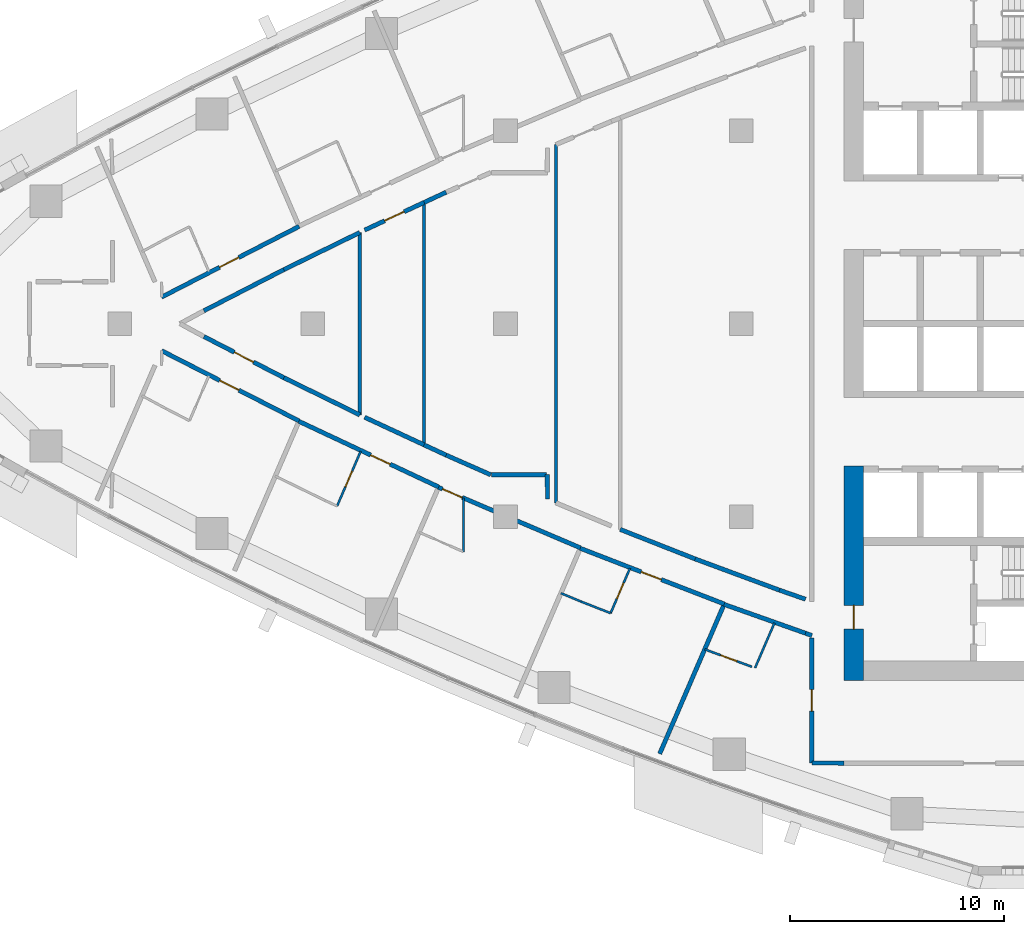
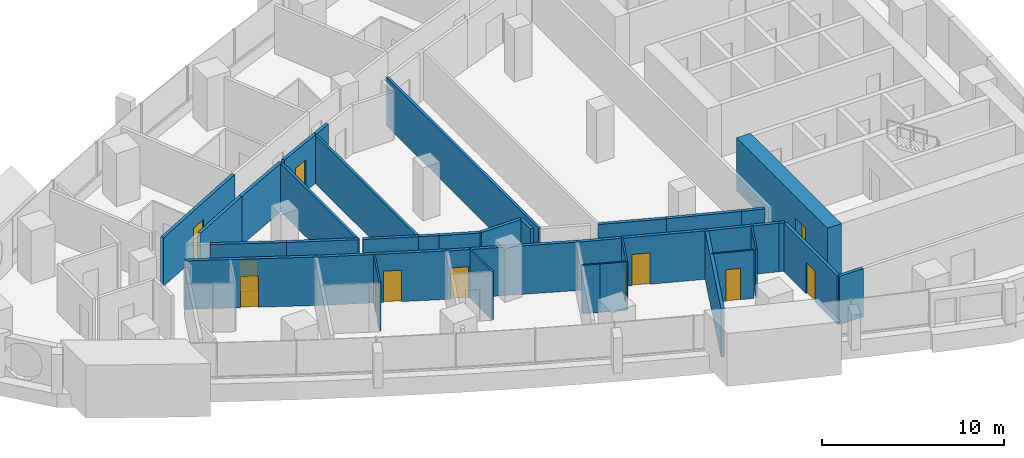
# One storey, part 9 of 17: 35 walls, 12 doors, 12 openings.
"""IFC4 building model written with IfcOpenShell, lengths in metres."""

from ifc_helpers import new_model, si_unit, direction, frame, frame_2d, origin, place, context, subcontext, project, spatial, rectangle, extrude, material, layer, layer_set, type_object, element, fill, save


model = new_model("IFC4")

# Units and contexts
model_context = context("Model", 3, precision=1e-05, world=origin(), true_north=direction((0.0, 1.0)))
body_context = subcontext(model_context, "Body", "Model", "MODEL_VIEW")
ifc_project = project(units=[si_unit("LENGTHUNIT", "METRE"), si_unit("AREAUNIT", "SQUARE_METRE"), si_unit("VOLUMEUNIT", "CUBIC_METRE"), si_unit("PLANEANGLEUNIT", "RADIAN"), si_unit("MASSUNIT", "GRAM", prefix="KILO")], contexts=[model_context])

# Site, building, storey
site_placement = place(None, origin())
site = spatial("IfcSite", under=ifc_project, at=site_placement, CompositionType="ELEMENT")
building_placement = place(site_placement, origin())
building = spatial("IfcBuilding", under=site, at=building_placement, Name="Ostrand Prow Hotel Tower", CompositionType="ELEMENT")
storey_placement = place(building_placement, frame((0.0, 0.0, 140.85009765625)))
storey = spatial("IfcBuildingStorey", under=building, at=storey_placement, Name="L34", CompositionType="ELEMENT", Elevation=140.85009765625)

# Wall, opening, door
ifc_material_1 = material(Name="Concrete C70/85", Category="concrete")
ifc_layer_1 = layer(ifc_material_1, 0.89990234375)
ifc_layer_set_1 = layer_set([ifc_layer_1], Name="Concrete C70/85")
wall_type_1 = type_object("IfcWallType", Name="Core wall 900 C70/85", PredefinedType="SHEAR", material=ifc_layer_set_1)
wall_1_placement = place(storey_placement, frame((50.25, -16.64990234375, 0.0), z_axis=(0.0, 0.0, 1.0), x_axis=(0.0, 1.0, 0.0)))
wall_1 = element("IfcWall", 1, at=wall_1_placement, inside=storey, type_object=wall_type_1, Name="Core wall CW-W-S", PredefinedType="SHEAR", context=body_context, shape_type="SweptSolid", body=[
    extrude(rectangle(XDim=10.0, YDim=0.89990234375, at=frame_2d((5.0, 0.0))), origin(), (0.0, 0.0, 1.0), 3.5498046875),
])
opening_1_placement = place(wall_1_placement, frame((2.39990234375, 0.0, 0.0)))
opening_1 = element("IfcOpeningElement", 2, at=opening_1_placement, cuts=wall_1, Name="Opening FD1", PredefinedType="OPENING", context=body_context, shape_type="SweptSolid", body=[
    extrude(rectangle(XDim=1.10009765625, YDim=2.10009765625, at=frame_2d((0.550048828125, 1.050048828125))), frame((0.0, 0.4599609375, 0.0), z_axis=(0.0, -1.0, 0.0), x_axis=(1.0, 0.0, 0.0)), (0.0, 0.0, 1.0), 0.919921875),
])
ifc_material_2 = material(Name="Steel fire door", Category="steel")
door_type_1 = type_object("IfcDoorType", Name="Fire door 1100 EI120", OperationType="SINGLE_SWING_RIGHT", PredefinedType="DOOR", material=ifc_material_2)
door_1_placement = place(opening_1_placement, origin())
door_1 = element("IfcDoor", 3, at=door_1_placement, inside=storey, type_object=door_type_1, Name="FIRE DOOR", OperationType="SINGLE_SWING_RIGHT", OverallHeight=2.10009765625, OverallWidth=1.10009765625, PredefinedType="DOOR", context=body_context, shape_type="SweptSolid", body=[
    extrude(rectangle(XDim=1.10009765625, YDim=2.10009765625, at=frame_2d((0.550048828125, 1.050048828125))), frame((0.0, 0.02490234375, 0.0), z_axis=(0.0, -1.0, 0.0), x_axis=(1.0, 0.0, 0.0)), (0.0, 0.0, 1.0), 0.050048828125),
])
fill(opening_1, door_1)

ifc_material_3 = material(Name="Plasterboard partition")
ifc_layer_2 = layer(ifc_material_3, 0.10009765625)
ifc_layer_set_2 = layer_set([ifc_layer_2], Name="Plasterboard partition")
wall_type_2 = type_object("IfcWallType", Name="Partition 100 bathroom wall", PredefinedType="PARTITIONING", material=ifc_layer_set_2)
wall_2_placement = place(storey_placement, frame((27.239990234375, -5.959228515625, 0.0), z_axis=(0.0, 0.0, 1.0), x_axis=(-0.396018464604, -0.918242547311, 0.0)))
wall_2 = element("IfcWall", 4, at=wall_2_placement, inside=storey, type_object=wall_type_2, Name="BATHROOM WALL", PredefinedType="PARTITIONING", context=body_context, shape_type="SweptSolid", body=[
    extrude(rectangle(XDim=2.77783203125, YDim=0.10009765625, at=frame_2d((1.388916015625, 0.0))), origin(), (0.0, 0.0, 1.0), 3.25),
])
opening_2_placement = place(wall_2_placement, frame((1.0, 0.0, 0.0)))
opening_2 = element("IfcOpeningElement", 5, at=opening_2_placement, cuts=wall_2, Name="Opening D2", PredefinedType="OPENING", context=body_context, shape_type="SweptSolid", body=[
    extrude(rectangle(XDim=0.800048828125, YDim=2.10009765625, at=frame_2d((0.39990234375, 1.050048828125))), frame((0.0, 0.06005859375, 0.0), z_axis=(0.0, -1.0, 0.0), x_axis=(1.0, 0.0, 0.0)), (0.0, 0.0, 1.0), 0.1201171875),
])
ifc_material_4 = material(Name="Timber door leaf", Category="wood")
door_type_2 = type_object("IfcDoorType", Name="Bathroom door 800", OperationType="SINGLE_SWING_LEFT", PredefinedType="DOOR", material=ifc_material_4)
door_2_placement = place(opening_2_placement, origin())
door_2 = element("IfcDoor", 6, at=door_2_placement, inside=storey, type_object=door_type_2, Name="DOOR", OperationType="SINGLE_SWING_LEFT", OverallHeight=2.10009765625, OverallWidth=0.800048828125, PredefinedType="DOOR", context=body_context, shape_type="SweptSolid", body=[
    extrude(rectangle(XDim=0.800048828125, YDim=2.10009765625, at=frame_2d((0.39990234375, 1.050048828125))), frame((0.0, 0.02490234375, 0.0), z_axis=(0.0, -1.0, 0.0), x_axis=(1.0, 0.0, 0.0)), (0.0, 0.0, 1.0), 0.050048828125),
])
fill(opening_2, door_2)

wall_3_placement = place(storey_placement, frame((39.805908203125, -11.4169921875, 0.0), z_axis=(0.0, 0.0, 1.0), x_axis=(-0.396000751487, -0.918250186399, 0.0)))
wall_3 = element("IfcWall", 7, at=wall_3_placement, inside=storey, type_object=wall_type_2, Name="BATHROOM WALL", PredefinedType="PARTITIONING", context=body_context, shape_type="SweptSolid", body=[
    extrude(rectangle(XDim=2.278076171875, YDim=0.10009765625, at=frame_2d((1.13916015625, 0.0))), origin(), (0.0, 0.0, 1.0), 3.25),
])
opening_3_placement = place(wall_3_placement, frame((0.75, 0.0, 0.0)))
opening_3 = element("IfcOpeningElement", 8, at=opening_3_placement, cuts=wall_3, Name="Opening D2", PredefinedType="OPENING", context=body_context, shape_type="SweptSolid", body=[
    extrude(rectangle(XDim=0.800048828125, YDim=2.10009765625, at=frame_2d((0.39990234375, 1.050048828125))), frame((0.0, 0.06005859375, 0.0), z_axis=(0.0, -1.0, 0.0), x_axis=(1.0, 0.0, 0.0)), (0.0, 0.0, 1.0), 0.1201171875),
])
door_3_placement = place(opening_3_placement, origin())
door_3 = element("IfcDoor", 9, at=door_3_placement, inside=storey, type_object=door_type_2, Name="DOOR", OperationType="SINGLE_SWING_LEFT", OverallHeight=2.10009765625, OverallWidth=0.800048828125, PredefinedType="DOOR", context=body_context, shape_type="SweptSolid", body=[
    extrude(rectangle(XDim=0.800048828125, YDim=2.10009765625, at=frame_2d((0.39990234375, 1.050048828125))), frame((0.0, 0.02490234375, 0.0), z_axis=(0.0, -1.0, 0.0), x_axis=(1.0, 0.0, 0.0)), (0.0, 0.0, 1.0), 0.050048828125),
])
fill(opening_3, door_3)

# Walls
wall_4_placement = place(storey_placement, frame((38.90380859375, -13.5087890625, 0.0), z_axis=(0.0, 0.0, 1.0), x_axis=(-0.930584239012, 0.366077825199, 0.0)))
element("IfcWall", 10, at=wall_4_placement, inside=storey, type_object=wall_type_2, Name="BATHROOM WALL", PredefinedType="PARTITIONING", context=body_context, shape_type="SweptSolid", body=[
    extrude(rectangle(XDim=1.4912109375, YDim=0.10009765625, at=frame_2d((0.74560546875, 0.0))), origin(), (0.0, 0.0, 1.0), 3.25),
])
wall_5_placement = place(storey_placement, frame((37.51611328125, -12.962890625, 0.0), z_axis=(0.0, 0.0, 1.0), x_axis=(-0.923026834192, 0.384735575897, 0.0)))
element("IfcWall", 11, at=wall_5_placement, inside=storey, type_object=wall_type_2, Name="BATHROOM WALL", PredefinedType="PARTITIONING", context=body_context, shape_type="SweptSolid", body=[
    extrude(rectangle(XDim=1.009521484375, YDim=0.10009765625, at=frame_2d((0.5048828125, 0.0))), origin(), (0.0, 0.0, 1.0), 3.25),
])
wall_6_placement = place(storey_placement, frame((46.5478515625, -13.965087890625, 0.0), z_axis=(0.0, 0.0, 1.0), x_axis=(-0.395944391694, -0.918274489837, 0.0)))
element("IfcWall", 12, at=wall_6_placement, inside=storey, type_object=wall_type_2, Name="BATHROOM WALL", PredefinedType="PARTITIONING", context=body_context, shape_type="SweptSolid", body=[
    extrude(rectangle(XDim=2.283203125, YDim=0.10009765625, at=frame_2d((1.1416015625, 0.0))), origin(), (0.0, 0.0, 1.0), 3.25),
])

# Wall, opening, door
wall_7_placement = place(storey_placement, frame((45.497314453125, -16.0107421875, 0.0), z_axis=(0.0, 0.0, 1.0), x_axis=(-0.937739981943, 0.347338057613, 0.0)))
wall_7 = element("IfcWall", 13, at=wall_7_placement, inside=storey, type_object=wall_type_2, Name="BATHROOM WALL", PredefinedType="PARTITIONING", context=body_context, shape_type="SweptSolid", body=[
    extrude(rectangle(XDim=2.348388671875, YDim=0.10009765625, at=frame_2d((1.17431640625, 0.0))), origin(), (0.0, 0.0, 1.0), 3.25),
])
opening_4_placement = place(wall_7_placement, frame((0.75, 0.0, 0.0)))
opening_4 = element("IfcOpeningElement", 14, at=opening_4_placement, cuts=wall_7, Name="Opening D2", PredefinedType="OPENING", context=body_context, shape_type="SweptSolid", body=[
    extrude(rectangle(XDim=0.800048828125, YDim=2.10009765625, at=frame_2d((0.39990234375, 1.050048828125))), frame((0.0, 0.06005859375, 0.0), z_axis=(0.0, -1.0, 0.0), x_axis=(1.0, 0.0, 0.0)), (0.0, 0.0, 1.0), 0.1201171875),
])
door_4_placement = place(opening_4_placement, origin())
door_4 = element("IfcDoor", 15, at=door_4_placement, inside=storey, type_object=door_type_2, Name="DOOR", OperationType="SINGLE_SWING_LEFT", OverallHeight=2.10009765625, OverallWidth=0.800048828125, PredefinedType="DOOR", context=body_context, shape_type="SweptSolid", body=[
    extrude(rectangle(XDim=0.800048828125, YDim=2.10009765625, at=frame_2d((0.39990234375, 1.050048828125))), frame((0.0, 0.02490234375, 0.0), z_axis=(0.0, -1.0, 0.0), x_axis=(1.0, 0.0, 0.0)), (0.0, 0.0, 1.0), 0.050048828125),
])
fill(opening_4, door_4)

# Walls
wall_8_placement = place(storey_placement, frame((32.044921875, -8.13818359375, 0.0), z_axis=(0.0, 0.0, 1.0), x_axis=(0.0, -1.0, 0.0)))
element("IfcWall", 16, at=wall_8_placement, inside=storey, type_object=wall_type_2, Name="BATHROOM WALL", PredefinedType="PARTITIONING", context=body_context, shape_type="SweptSolid", body=[
    extrude(rectangle(XDim=2.52294921875, YDim=0.10009765625, at=frame_2d((1.261474609375, 0.0))), origin(), (0.0, 0.0, 1.0), 3.25),
])
ifc_material_5 = material(Name="Plasterboard partition")
ifc_layer_3 = layer(ifc_material_5, 0.14990234375)
ifc_layer_set_3 = layer_set([ifc_layer_3], Name="Plasterboard partition")
wall_type_3 = type_object("IfcWallType", Name="Partition 150 room partition", PredefinedType="PARTITIONING", material=ifc_layer_set_3)
wall_9_placement = place(storey_placement, frame((27.201904296875, -4.256591796875, 0.0), z_axis=(0.0, 0.0, 1.0), x_axis=(0.0, 1.0, 0.0)))
element("IfcWall", 17, at=wall_9_placement, inside=storey, type_object=wall_type_3, Name="ROOM PARTITION", PredefinedType="PARTITIONING", context=body_context, shape_type="SweptSolid", body=[
    extrude(rectangle(XDim=8.51318359375, YDim=0.14990234375, at=frame_2d((4.256591796875, 0.0))), origin(), (0.0, 0.0, 1.0), 3.25),
])
wall_10_placement = place(storey_placement, frame((30.201904296875, -5.656494140625, 0.0), z_axis=(0.0, 0.0, 1.0), x_axis=(0.0, 1.0, 0.0)))
element("IfcWall", 18, at=wall_10_placement, inside=storey, type_object=wall_type_3, Name="ROOM PARTITION", PredefinedType="PARTITIONING", context=body_context, shape_type="SweptSolid", body=[
    extrude(rectangle(XDim=11.31298828125, YDim=0.14990234375, at=frame_2d((5.656494140625, 0.0))), origin(), (0.0, 0.0, 1.0), 3.25),
])
wall_11_placement = place(storey_placement, frame((36.35302734375, -8.361083984375, 0.0), z_axis=(0.0, 0.0, 1.0), x_axis=(0.0, 1.0, 0.0)))
element("IfcWall", 19, at=wall_11_placement, inside=storey, type_object=wall_type_3, Name="ROOM PARTITION", PredefinedType="PARTITIONING", context=body_context, shape_type="SweptSolid", body=[
    extrude(rectangle(XDim=16.72216796875, YDim=0.14990234375, at=frame_2d((8.361083984375, 0.0))), origin(), (0.0, 0.0, 1.0), 3.25),
])

# Wall, opening, door
ifc_material_6 = material(Name="Plasterboard partition")
ifc_layer_4 = layer(ifc_material_6, 0.199951171875)
ifc_layer_set_4 = layer_set([ifc_layer_4], Name="Plasterboard partition")
wall_type_4 = type_object("IfcWallType", Name="Partition 200 corridor wall", PredefinedType="PARTITIONING", material=ifc_layer_set_4)
wall_12_placement = place(storey_placement, frame((17.949951171875, 1.238037109375, 0.0), z_axis=(0.0, 0.0, 1.0), x_axis=(0.889253598622, 0.457414513694, 0.0)))
wall_12 = element("IfcWall", 20, at=wall_12_placement, inside=storey, type_object=wall_type_4, Name="CORRIDOR WALL", PredefinedType="PARTITIONING", context=body_context, shape_type="SweptSolid", body=[
    extrude(rectangle(XDim=7.216796875, YDim=0.199951171875, at=frame_2d((3.6083984375, 0.0))), origin(), (0.0, 0.0, 1.0), 3.25),
])
opening_5_placement = place(wall_12_placement, frame((3.050048828125, 0.0, 0.0)))
opening_5 = element("IfcOpeningElement", 21, at=opening_5_placement, cuts=wall_12, Name="Opening D1", PredefinedType="OPENING", context=body_context, shape_type="SweptSolid", body=[
    extrude(rectangle(XDim=1.0, YDim=2.10009765625, at=frame_2d((0.5, 1.050048828125))), frame((0.0, 0.10986328125, 0.0), z_axis=(0.0, -1.0, 0.0), x_axis=(1.0, 0.0, 0.0)), (0.0, 0.0, 1.0), 0.219970703125),
])
ifc_material_7 = material(Name="Timber door leaf", Category="wood")
door_type_3 = type_object("IfcDoorType", Name="Guest room door 1000", OperationType="SINGLE_SWING_LEFT", PredefinedType="DOOR", material=ifc_material_7)
door_5_placement = place(opening_5_placement, origin())
door_5 = element("IfcDoor", 22, at=door_5_placement, inside=storey, type_object=door_type_3, Name="DOOR", OperationType="SINGLE_SWING_LEFT", OverallHeight=2.10009765625, OverallWidth=1.0, PredefinedType="DOOR", context=body_context, shape_type="SweptSolid", body=[
    extrude(rectangle(XDim=1.0, YDim=2.10009765625, at=frame_2d((0.5, 1.050048828125))), frame((0.0, 0.02490234375, 0.0), z_axis=(0.0, -1.0, 0.0), x_axis=(1.0, 0.0, 0.0)), (0.0, 0.0, 1.0), 0.050048828125),
])
fill(opening_5, door_5)

wall_13_placement = place(storey_placement, frame((17.949951171875, -1.2607421875, 0.0), z_axis=(0.0, 0.0, 1.0), x_axis=(0.890531681441, -0.45492122873, 0.0)))
wall_13 = element("IfcWall", 23, at=wall_13_placement, inside=storey, type_object=wall_type_4, Name="CORRIDOR WALL", PredefinedType="PARTITIONING", context=body_context, shape_type="SweptSolid", body=[
    extrude(rectangle(XDim=7.206298828125, YDim=0.199951171875, at=frame_2d((3.60302734375, 0.0))), origin(), (0.0, 0.0, 1.0), 3.25),
])
opening_6_placement = place(wall_13_placement, frame((3.050048828125, 0.0, 0.0)))
opening_6 = element("IfcOpeningElement", 24, at=opening_6_placement, cuts=wall_13, Name="Opening D1", PredefinedType="OPENING", context=body_context, shape_type="SweptSolid", body=[
    extrude(rectangle(XDim=1.0, YDim=2.10009765625, at=frame_2d((0.5, 1.050048828125))), frame((0.0, 0.10986328125, 0.0), z_axis=(0.0, -1.0, 0.0), x_axis=(1.0, 0.0, 0.0)), (0.0, 0.0, 1.0), 0.219970703125),
])
door_6_placement = place(opening_6_placement, origin())
door_6 = element("IfcDoor", 25, at=door_6_placement, inside=storey, type_object=door_type_3, Name="DOOR", OperationType="SINGLE_SWING_LEFT", OverallHeight=2.10009765625, OverallWidth=1.0, PredefinedType="DOOR", context=body_context, shape_type="SweptSolid", body=[
    extrude(rectangle(XDim=1.0, YDim=2.10009765625, at=frame_2d((0.5, 1.050048828125))), frame((0.0, 0.02490234375, 0.0), z_axis=(0.0, -1.0, 0.0), x_axis=(1.0, 0.0, 0.0)), (0.0, 0.0, 1.0), 0.050048828125),
])
fill(opening_6, door_6)

wall_14_placement = place(storey_placement, frame((24.359619140625, -4.557373046875, 0.0), z_axis=(0.0, 0.0, 1.0), x_axis=(0.905157912263, -0.425075468439, 0.0)))
wall_14 = element("IfcWall", 26, at=wall_14_placement, inside=storey, type_object=wall_type_4, Name="CORRIDOR WALL", PredefinedType="PARTITIONING", context=body_context, shape_type="SweptSolid", body=[
    extrude(rectangle(XDim=7.203369140625, YDim=0.199951171875, at=frame_2d((3.6015625, 0.0))), origin(), (0.0, 0.0, 1.0), 3.25),
])
opening_7_placement = place(wall_14_placement, frame((3.699951171875, 0.0, 0.0)))
opening_7 = element("IfcOpeningElement", 27, at=opening_7_placement, cuts=wall_14, Name="Opening D1", PredefinedType="OPENING", context=body_context, shape_type="SweptSolid", body=[
    extrude(rectangle(XDim=1.0, YDim=2.10009765625, at=frame_2d((0.5, 1.050048828125))), frame((0.0, 0.10986328125, 0.0), z_axis=(0.0, -1.0, 0.0), x_axis=(1.0, 0.0, 0.0)), (0.0, 0.0, 1.0), 0.219970703125),
])
door_7_placement = place(opening_7_placement, origin())
door_7 = element("IfcDoor", 28, at=door_7_placement, inside=storey, type_object=door_type_3, Name="DOOR", OperationType="SINGLE_SWING_LEFT", OverallHeight=2.10009765625, OverallWidth=1.0, PredefinedType="DOOR", context=body_context, shape_type="SweptSolid", body=[
    extrude(rectangle(XDim=1.0, YDim=2.10009765625, at=frame_2d((0.5, 1.050048828125))), frame((0.0, 0.02490234375, 0.0), z_axis=(0.0, -1.0, 0.0), x_axis=(1.0, 0.0, 0.0)), (0.0, 0.0, 1.0), 0.050048828125),
])
fill(opening_7, door_7)

wall_15_placement = place(storey_placement, frame((30.8720703125, -7.6376953125, 0.0), z_axis=(0.0, 0.0, 1.0), x_axis=(0.919834621271, -0.392306346509, 0.0)))
wall_15 = element("IfcWall", 29, at=wall_15_placement, inside=storey, type_object=wall_type_4, Name="CORRIDOR WALL", PredefinedType="PARTITIONING", context=body_context, shape_type="SweptSolid", body=[
    extrude(rectangle(XDim=7.2001953125, YDim=0.199951171875, at=frame_2d((3.60009765625, 0.0))), origin(), (0.0, 0.0, 1.0), 3.25),
])
opening_8_placement = place(wall_15_placement, frame((0.199951171875, 0.0, 0.0)))
opening_8 = element("IfcOpeningElement", 30, at=opening_8_placement, cuts=wall_15, Name="Opening D1", PredefinedType="OPENING", context=body_context, shape_type="SweptSolid", body=[
    extrude(rectangle(XDim=1.0, YDim=2.10009765625, at=frame_2d((0.5, 1.050048828125))), frame((0.0, 0.10986328125, 0.0), z_axis=(0.0, -1.0, 0.0), x_axis=(1.0, 0.0, 0.0)), (0.0, 0.0, 1.0), 0.219970703125),
])
door_8_placement = place(opening_8_placement, origin())
door_8 = element("IfcDoor", 31, at=door_8_placement, inside=storey, type_object=door_type_3, Name="DOOR", OperationType="SINGLE_SWING_LEFT", OverallHeight=2.10009765625, OverallWidth=1.0, PredefinedType="DOOR", context=body_context, shape_type="SweptSolid", body=[
    extrude(rectangle(XDim=1.0, YDim=2.10009765625, at=frame_2d((0.5, 1.050048828125))), frame((0.0, 0.02490234375, 0.0), z_axis=(0.0, -1.0, 0.0), x_axis=(1.0, 0.0, 0.0)), (0.0, 0.0, 1.0), 0.050048828125),
])
fill(opening_8, door_8)

wall_16_placement = place(storey_placement, frame((37.487060546875, -10.480712890625, 0.0), z_axis=(0.0, 0.0, 1.0), x_axis=(0.932657486666, -0.360763097567, 0.0)))
wall_16 = element("IfcWall", 32, at=wall_16_placement, inside=storey, type_object=wall_type_4, Name="CORRIDOR WALL", PredefinedType="PARTITIONING", context=body_context, shape_type="SweptSolid", body=[
    extrude(rectangle(XDim=7.205078125, YDim=0.199951171875, at=frame_2d((3.6025390625, 0.0))), origin(), (0.0, 0.0, 1.0), 3.25),
])
opening_9_placement = place(wall_16_placement, frame((3.050048828125, 0.0, 0.0)))
opening_9 = element("IfcOpeningElement", 33, at=opening_9_placement, cuts=wall_16, Name="Opening D1", PredefinedType="OPENING", context=body_context, shape_type="SweptSolid", body=[
    extrude(rectangle(XDim=1.0, YDim=2.10009765625, at=frame_2d((0.5, 1.050048828125))), frame((0.0, 0.10986328125, 0.0), z_axis=(0.0, -1.0, 0.0), x_axis=(1.0, 0.0, 0.0)), (0.0, 0.0, 1.0), 0.219970703125),
])
door_9_placement = place(opening_9_placement, origin())
door_9 = element("IfcDoor", 34, at=door_9_placement, inside=storey, type_object=door_type_3, Name="DOOR", OperationType="SINGLE_SWING_LEFT", OverallHeight=2.10009765625, OverallWidth=1.0, PredefinedType="DOOR", context=body_context, shape_type="SweptSolid", body=[
    extrude(rectangle(XDim=1.0, YDim=2.10009765625, at=frame_2d((0.5, 1.050048828125))), frame((0.0, 0.02490234375, 0.0), z_axis=(0.0, -1.0, 0.0), x_axis=(1.0, 0.0, 0.0)), (0.0, 0.0, 1.0), 0.050048828125),
])
fill(opening_9, door_9)

wall_17_placement = place(storey_placement, frame((23.65869140625, -2.52197265625, 0.0), z_axis=(0.0, 0.0, 1.0), x_axis=(-0.889140337289, 0.457634636589, 0.0)))
wall_17 = element("IfcWall", 35, at=wall_17_placement, inside=storey, type_object=wall_type_4, Name="CORRIDOR WALL", PredefinedType="PARTITIONING", context=body_context, shape_type="SweptSolid", body=[
    extrude(rectangle(XDim=4.1953125, YDim=0.199951171875, at=frame_2d((2.09765625, 0.0))), origin(), (0.0, 0.0, 1.0), 3.25),
])
opening_10_placement = place(wall_17_placement, frame((1.59765625, 0.0, 0.0)))
opening_10 = element("IfcOpeningElement", 36, at=opening_10_placement, cuts=wall_17, Name="Opening D1", PredefinedType="OPENING", context=body_context, shape_type="SweptSolid", body=[
    extrude(rectangle(XDim=1.0, YDim=2.10009765625, at=frame_2d((0.5, 1.050048828125))), frame((0.0, 0.10986328125, 0.0), z_axis=(0.0, -1.0, 0.0), x_axis=(1.0, 0.0, 0.0)), (0.0, 0.0, 1.0), 0.219970703125),
])
door_10_placement = place(opening_10_placement, origin())
door_10 = element("IfcDoor", 37, at=door_10_placement, inside=storey, type_object=door_type_3, Name="DOOR", OperationType="SINGLE_SWING_LEFT", OverallHeight=2.10009765625, OverallWidth=1.0, PredefinedType="DOOR", context=body_context, shape_type="SweptSolid", body=[
    extrude(rectangle(XDim=1.0, YDim=2.10009765625, at=frame_2d((0.5, 1.050048828125))), frame((0.0, 0.02490234375, 0.0), z_axis=(0.0, -1.0, 0.0), x_axis=(1.0, 0.0, 0.0)), (0.0, 0.0, 1.0), 0.050048828125),
])
fill(opening_10, door_10)

# Walls
wall_18_placement = place(storey_placement, frame((19.928466796875, 0.60205078125, 0.0), z_axis=(0.0, 0.0, 1.0), x_axis=(0.889140337289, 0.457634636589, 0.0)))
element("IfcWall", 38, at=wall_18_placement, inside=storey, type_object=wall_type_4, Name="CORRIDOR WALL", PredefinedType="PARTITIONING", context=body_context, shape_type="SweptSolid", body=[
    extrude(rectangle(XDim=4.1953125, YDim=0.199951171875, at=frame_2d((2.09765625, 0.0))), origin(), (0.0, 0.0, 1.0), 3.25),
])
for number, where, z_axis, x_axis, name in (
    (39, (23.65869140625, 2.52197265625, 0.0), (0.0, 0.0, 1.0), (0.898146009837, 0.439697333418, 0.0), "CORRIDOR WALL"),
    (40, (27.201904296875, -4.256591796875, 0.0), (0.0, 0.0, 1.0), (-0.898146009837, 0.439697333418, 0.0), "CORRIDOR WALL"),
):
    element("IfcWall", number, at=place(storey_placement, frame(where, z_axis=z_axis, x_axis=x_axis)), inside=storey, type_object=wall_type_4, Name=name, PredefinedType="PARTITIONING", context=body_context, shape_type="SweptSolid", body=[
        extrude(rectangle(XDim=3.945068359375, YDim=0.199951171875, at=frame_2d((1.97265625, 0.0))), origin(), (0.0, 0.0, 1.0), 3.25),
    ])

# Wall, opening, door
wall_19_placement = place(storey_placement, frame((27.4267578125, 4.36669921875, 0.0), z_axis=(0.0, 0.0, 1.0), x_axis=(0.906842391635, 0.42146990015, 0.0)))
wall_19 = element("IfcWall", 41, at=wall_19_placement, inside=storey, type_object=wall_type_4, Name="CORRIDOR WALL", PredefinedType="PARTITIONING", context=body_context, shape_type="SweptSolid", body=[
    extrude(rectangle(XDim=3.060302734375, YDim=0.199951171875, at=frame_2d((1.5302734375, 0.0))), origin(), (0.0, 0.0, 1.0), 3.25),
])
opening_11_placement = place(wall_19_placement, frame((1.030029296875, 0.0, 0.0)))
opening_11 = element("IfcOpeningElement", 42, at=opening_11_placement, cuts=wall_19, Name="Opening D1R", PredefinedType="OPENING", context=body_context, shape_type="SweptSolid", body=[
    extrude(rectangle(XDim=1.0, YDim=2.10009765625, at=frame_2d((0.5, 1.050048828125))), frame((0.0, 0.10986328125, 0.0), z_axis=(0.0, -1.0, 0.0), x_axis=(1.0, 0.0, 0.0)), (0.0, 0.0, 1.0), 0.219970703125),
])
ifc_material_8 = material(Name="Timber door leaf", Category="wood")
door_type_4 = type_object("IfcDoorType", Name="Guest room door 1000 right", OperationType="SINGLE_SWING_RIGHT", PredefinedType="DOOR", material=ifc_material_8)
door_11_placement = place(opening_11_placement, origin())
door_11 = element("IfcDoor", 43, at=door_11_placement, inside=storey, type_object=door_type_4, Name="DOOR", OperationType="SINGLE_SWING_RIGHT", OverallHeight=2.10009765625, OverallWidth=1.0, PredefinedType="DOOR", context=body_context, shape_type="SweptSolid", body=[
    extrude(rectangle(XDim=1.0, YDim=2.10009765625, at=frame_2d((0.5, 1.050048828125))), frame((0.0, 0.02490234375, 0.0), z_axis=(0.0, -1.0, 0.0), x_axis=(1.0, 0.0, 0.0)), (0.0, 0.0, 1.0), 0.050048828125),
])
fill(opening_11, door_11)

# Walls
wall_20_placement = place(storey_placement, frame((30.201904296875, -5.656494140625, 0.0), z_axis=(0.0, 0.0, 1.0), x_axis=(-0.906842391635, 0.42146990015, 0.0)))
element("IfcWall", 44, at=wall_20_placement, inside=storey, type_object=wall_type_4, Name="CORRIDOR WALL", PredefinedType="PARTITIONING", context=body_context, shape_type="SweptSolid", body=[
    extrude(rectangle(XDim=3.060302734375, YDim=0.199951171875, at=frame_2d((1.5302734375, 0.0))), origin(), (0.0, 0.0, 1.0), 3.25),
])
wall_21_placement = place(storey_placement, frame((33.307861328125, -7.050048828125, 0.0), z_axis=(0.0, 0.0, 1.0), x_axis=(-0.915102334452, 0.403221672881, 0.0)))
element("IfcWall", 45, at=wall_21_placement, inside=storey, type_object=wall_type_4, Name="CORRIDOR WALL", PredefinedType="PARTITIONING", context=body_context, shape_type="SweptSolid", body=[
    extrude(rectangle(XDim=2.269287109375, YDim=0.199951171875, at=frame_2d((1.134765625, 0.0))), origin(), (0.0, 0.0, 1.0), 3.25),
])
for number, where, z_axis, x_axis, name in (
    (46, (31.231201171875, -6.135009765625, 0.0), (0.0, 0.0, 1.0), (-0.906797605575, 0.421566249271, 0.0), "CORRIDOR WALL"),
    (47, (30.201904296875, 5.656494140625, 0.0), (0.0, 0.0, 1.0), (0.906797605575, 0.421566249271, 0.0), "CORRIDOR WALL"),
):
    element("IfcWall", number, at=place(storey_placement, frame(where, z_axis=z_axis, x_axis=x_axis)), inside=storey, type_object=wall_type_4, Name=name, PredefinedType="PARTITIONING", context=body_context, shape_type="SweptSolid", body=[
        extrude(rectangle(XDim=1.135009765625, YDim=0.199951171875, at=frame_2d((0.5673828125, 0.0))), origin(), (0.0, 0.0, 1.0), 3.25),
    ])
wall_22_placement = place(storey_placement, frame((46.78125, -12.43408203125, 0.0), z_axis=(0.0, 0.0, 1.0), x_axis=(-0.937732614305, 0.347357948044, 0.0)))
element("IfcWall", 48, at=wall_22_placement, inside=storey, type_object=wall_type_4, Name="CORRIDOR WALL", PredefinedType="PARTITIONING", context=body_context, shape_type="SweptSolid", body=[
    extrude(rectangle(XDim=4.1953125, YDim=0.199951171875, at=frame_2d((2.09765625, 0.0))), origin(), (0.0, 0.0, 1.0), 3.25),
])
wall_23_placement = place(storey_placement, frame((42.84716796875, -10.976806640625, 0.0), z_axis=(0.0, 0.0, 1.0), x_axis=(-0.930564862228, 0.366127077921, 0.0)))
element("IfcWall", 49, at=wall_23_placement, inside=storey, type_object=wall_type_4, Name="CORRIDOR WALL", PredefinedType="PARTITIONING", context=body_context, shape_type="SweptSolid", body=[
    extrude(rectangle(XDim=3.7548828125, YDim=0.199951171875, at=frame_2d((1.87744140625, 0.0))), origin(), (0.0, 0.0, 1.0), 3.25),
])
wall_24_placement = place(storey_placement, frame((44.19921875, -13.098388671875, 0.0), z_axis=(0.0, 0.0, 1.0), x_axis=(0.942658979264, -0.333757470048, 0.0)))
element("IfcWall", 50, at=wall_24_placement, inside=storey, type_object=wall_type_4, Name="CORRIDOR WALL", PredefinedType="PARTITIONING", context=body_context, shape_type="SweptSolid", body=[
    extrude(rectangle(XDim=4.031982421875, YDim=0.199951171875, at=frame_2d((2.01611328125, 0.0))), origin(), (0.0, 0.0, 1.0), 3.25),
])
wall_25_placement = place(storey_placement, frame((48.0, -12.85791015625, 0.0), z_axis=(0.0, 0.0, 1.0), x_axis=(-0.944517215109, 0.328461916152, 0.0)))
element("IfcWall", 51, at=wall_25_placement, inside=storey, type_object=wall_type_4, Name="CORRIDOR WALL", PredefinedType="PARTITIONING", context=body_context, shape_type="SweptSolid", body=[
    extrude(rectangle(XDim=1.290283203125, YDim=0.199951171875, at=frame_2d((0.64501953125, 0.0))), origin(), (0.0, 0.0, 1.0), 3.25),
])
wall_26_placement = place(storey_placement, frame((35.955078125, -8.18994140625, 0.0), z_axis=(0.0, 0.0, 1.0), x_axis=(-0.002773026881, 0.999996155154, 0.0)))
element("IfcWall", 52, at=wall_26_placement, inside=storey, type_object=wall_type_4, Name="CORRIDOR WALL", PredefinedType="PARTITIONING", context=body_context, shape_type="SweptSolid", body=[
    extrude(rectangle(XDim=1.14453125, YDim=0.199951171875, at=frame_2d((0.572265625, 0.0))), origin(), (0.0, 0.0, 1.0), 3.25),
])
wall_27_placement = place(storey_placement, frame((35.911865234375, -7.04541015625, 0.0), z_axis=(0.0, 0.0, 1.0), x_axis=(-0.999999981873, 0.000190403652, 0.0)))
element("IfcWall", 53, at=wall_27_placement, inside=storey, type_object=wall_type_4, Name="CORRIDOR WALL", PredefinedType="PARTITIONING", context=body_context, shape_type="SweptSolid", body=[
    extrude(rectangle(XDim=2.564453125, YDim=0.199951171875, at=frame_2d((1.2822265625, 0.0))), origin(), (0.0, 0.0, 1.0), 3.25),
])
wall_28_placement = place(storey_placement, frame((48.0, -14.444091796875, 0.0), z_axis=(0.0, 0.0, 1.0), x_axis=(0.937345648791, -0.348400824758, 0.0)))
element("IfcWall", 54, at=wall_28_placement, inside=storey, type_object=wall_type_4, Name="CORRIDOR WALL", PredefinedType="PARTITIONING", context=body_context, shape_type="SweptSolid", body=[
    extrude(rectangle(XDim=0.314697265625, YDim=0.199951171875, at=frame_2d((0.1572265625, 0.0))), origin(), (0.0, 0.0, 1.0), 3.25),
])

# Wall, opening, door
wall_29_placement = place(storey_placement, frame((48.294921875, -14.673583984375, 0.0), z_axis=(0.0, 0.0, 1.0), x_axis=(4.1895345e-05, -0.999999999122, 0.0)))
wall_29 = element("IfcWall", 55, at=wall_29_placement, inside=storey, type_object=wall_type_4, Name="CORRIDOR WALL", PredefinedType="PARTITIONING", context=body_context, shape_type="SweptSolid", body=[
    extrude(rectangle(XDim=5.827392578125, YDim=0.199951171875, at=frame_2d((2.91357421875, 0.0))), origin(), (0.0, 0.0, 1.0), 3.25),
])
opening_12_placement = place(wall_29_placement, frame((2.39990234375, 0.0, 0.0)))
opening_12 = element("IfcOpeningElement", 56, at=opening_12_placement, cuts=wall_29, Name="Opening D1R", PredefinedType="OPENING", context=body_context, shape_type="SweptSolid", body=[
    extrude(rectangle(XDim=1.0, YDim=2.10009765625, at=frame_2d((0.5, 1.050048828125))), frame((0.0, 0.10986328125, 0.0), z_axis=(0.0, -1.0, 0.0), x_axis=(1.0, 0.0, 0.0)), (0.0, 0.0, 1.0), 0.219970703125),
])
door_12_placement = place(opening_12_placement, origin())
door_12 = element("IfcDoor", 57, at=door_12_placement, inside=storey, type_object=door_type_4, Name="DOOR", OperationType="SINGLE_SWING_RIGHT", OverallHeight=2.10009765625, OverallWidth=1.0, PredefinedType="DOOR", context=body_context, shape_type="SweptSolid", body=[
    extrude(rectangle(XDim=1.0, YDim=2.10009765625, at=frame_2d((0.5, 1.050048828125))), frame((0.0, 0.02490234375, 0.0), z_axis=(0.0, -1.0, 0.0), x_axis=(1.0, 0.0, 0.0)), (0.0, 0.0, 1.0), 0.050048828125),
])
fill(opening_12, door_12)

# Walls
wall_30_placement = place(storey_placement, frame((48.295166015625, -20.5009765625, 0.0), z_axis=(0.0, 0.0, 1.0), x_axis=(0.999996631143, -0.002595708322, 0.0)))
element("IfcWall", 58, at=wall_30_placement, inside=storey, type_object=wall_type_4, Name="CORRIDOR WALL", PredefinedType="PARTITIONING", context=body_context, shape_type="SweptSolid", body=[
    extrude(rectangle(XDim=1.5048828125, YDim=0.199951171875, at=frame_2d((0.75244140625, 0.0))), origin(), (0.0, 0.0, 1.0), 3.25),
])
ifc_material_9 = material(Name="Plasterboard partition")
ifc_layer_5 = layer(ifc_material_9, 0.199951171875)
ifc_layer_set_5 = layer_set([ifc_layer_5], Name="Plasterboard partition")
wall_type_5 = type_object("IfcWallType", Name="Partition 200 key partition", PredefinedType="PARTITIONING", material=ifc_layer_set_5)
wall_31_placement = place(storey_placement, frame((41.193359375, -20.068603515625, 0.0), z_axis=(0.0, 0.0, 1.0), x_axis=(0.395981863621, 0.918258331671, 0.0)))
element("IfcWall", 59, at=wall_31_placement, inside=storey, type_object=wall_type_5, Name="KEY PARTITION", PredefinedType="PARTITIONING", context=body_context, shape_type="SweptSolid", body=[
    extrude(rectangle(XDim=7.610595703125, YDim=0.199951171875, at=frame_2d((3.80517578125, 0.0))), origin(), (0.0, 0.0, 1.0), 3.25),
])

save(model, "model.ifc")
